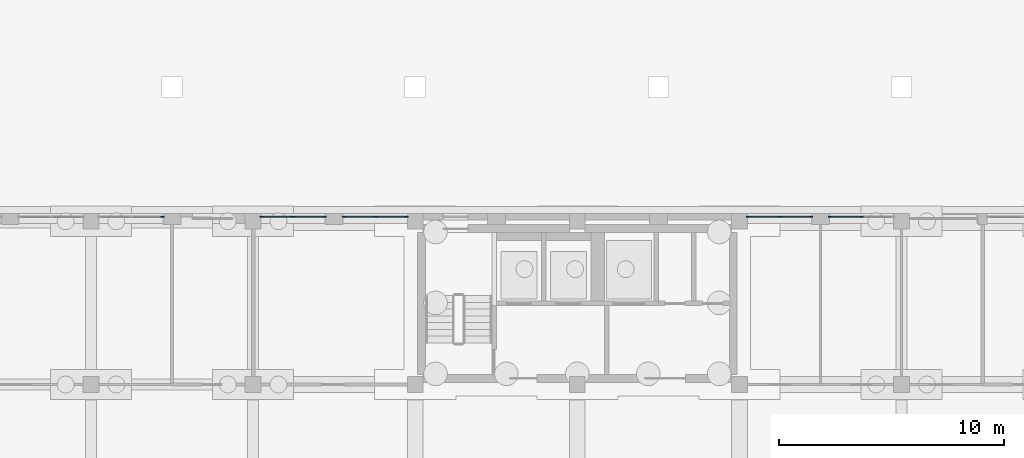
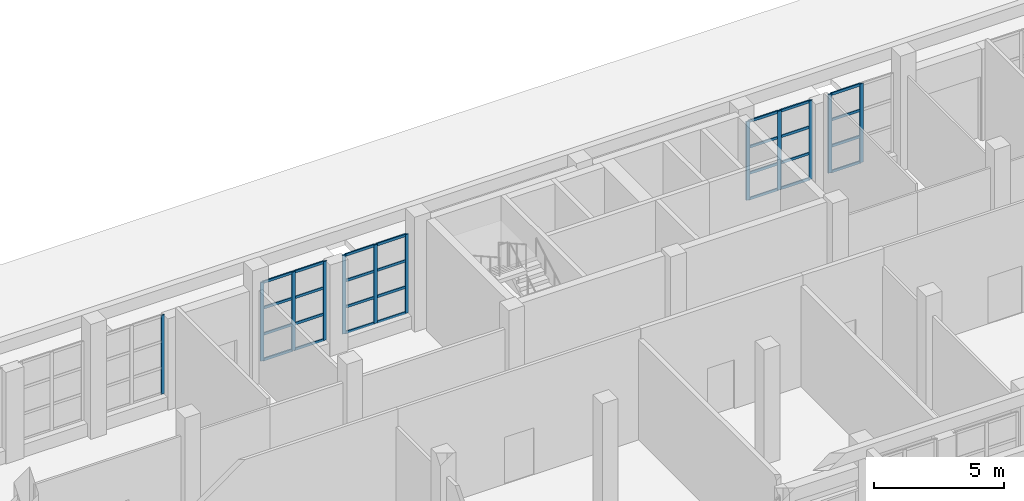
# One storey, part 26 of 80: 40 members, 5 elements without a shape of their own.
"""IFC4 building model written with IfcOpenShell, lengths in metres."""

import ifcopenshell
import ifcopenshell.guid

model = None  # the IFC model being written
_history = None  # IfcOwnerHistory: only IFC2X3 demands one
_inside = {}  # id of a spatial element -> (the spatial element, [elements in it])
_under = {}  # id of a project, library or spatial element -> (it, [spatial elements below it])
_declared = {}  # id of a project -> (the project, [libraries it declares])
_typed = {}  # id of a type object -> (the type object, [elements of that type])
_made_of = {}  # id of a material, layer set ... -> (it, [elements and type objects made of it])


def new_model(schema):
    """Start an empty IFC model of exactly this schema.

    Asked for "IFC4X3", IfcOpenShell would pick the latest addendum, in which some entities
    have other attributes; the version numbers below select the first issue.
    IFC2X3 requires an IfcOwnerHistory on every rooted entity: one is made here for all.
    """
    global model, _history
    if schema == "IFC4X3":
        model = ifcopenshell.file(schema_version=(4, 3, 0, 0))
    else:
        model = ifcopenshell.file(schema=schema)
    _inside.clear()
    _under.clear()
    _declared.clear()
    _typed.clear()
    _made_of.clear()
    _history = None
    if model.schema == "IFC2X3":
        org = make("IfcOrganization", Name="unknown")
        user = make(
            "IfcPersonAndOrganization",
            ThePerson=make("IfcPerson", FamilyName="unknown"),
            TheOrganization=org,
        )
        app = make(
            "IfcApplication",
            ApplicationDeveloper=org,
            Version="unknown",
            ApplicationFullName="unknown",
            ApplicationIdentifier="unknown",
        )
        _history = make(
            "IfcOwnerHistory",
            OwningUser=user,
            OwningApplication=app,
            ChangeAction="ADDED",
            CreationDate=0,
        )
    return model


def make(cls, **values):
    """One entity of the class cls with the attributes given. An attribute that is None is left unset."""
    return model.create_entity(
        cls, **{name: value for name, value in values.items() if value is not None}
    )


def rooted(cls, **values):
    """An entity with a GlobalId (a new one), such as an element, a storey or a relation."""
    return make(cls, GlobalId=ifcopenshell.guid.new(), OwnerHistory=_history, **values)


def si_unit(unit_type, name, prefix=None):
    """IfcSIUnit, for example si_unit("LENGTHUNIT", "METRE", prefix="MILLI")."""
    return make("IfcSIUnit", UnitType=unit_type, Prefix=prefix, Name=name)


def assignment(units):
    """IfcUnitAssignment: the units of a project."""
    return None if units is None else make("IfcUnitAssignment", Units=units)


def point(xyz):
    """IfcCartesianPoint."""
    return None if xyz is None else make("IfcCartesianPoint", Coordinates=xyz)


def direction(xyz):
    """IfcDirection."""
    return None if xyz is None else make("IfcDirection", DirectionRatios=xyz)


def frame(location, z_axis=None, x_axis=None):
    """IfcAxis2Placement3D, a coordinate frame: its origin and axes. An axis left out is left unset."""
    return make(
        "IfcAxis2Placement3D",
        Location=point(location),
        Axis=direction(z_axis),
        RefDirection=direction(x_axis),
    )


def frame_2d(location, x_axis=None):
    """IfcAxis2Placement2D, a coordinate frame in the plane: its origin and x axis."""
    return make(
        "IfcAxis2Placement2D", Location=point(location), RefDirection=direction(x_axis)
    )


def origin():
    """The frame at (0, 0, 0) with its axes left unset."""
    return frame((0.0, 0.0, 0.0))


def origin_2d():
    """The frame at (0, 0) in the plane with its x axis left unset."""
    return frame_2d((0.0, 0.0))


def place(relative_to, where):
    """IfcLocalPlacement: puts the frame where relative to a parent placement (None: the world)."""
    return make(
        "IfcLocalPlacement", PlacementRelTo=relative_to, RelativePlacement=where
    )


def context(
    kind, dimensions, precision=None, world=None, true_north=None, identifier=None
):
    """IfcGeometricRepresentationContext, for example the 3D "Model" context."""
    return make(
        "IfcGeometricRepresentationContext",
        ContextIdentifier=identifier,
        ContextType=kind,
        CoordinateSpaceDimension=dimensions,
        Precision=precision,
        WorldCoordinateSystem=world,
        TrueNorth=true_north,
    )


def subcontext(parent, identifier, kind, view, scale=None):
    """IfcGeometricRepresentationSubContext, for example "Body" below "Model"."""
    return make(
        "IfcGeometricRepresentationSubContext",
        ContextIdentifier=identifier,
        ContextType=kind,
        ParentContext=parent,
        TargetScale=scale,
        TargetView=view,
    )


def project(units=None, contexts=None):
    """IfcProject with its units and contexts."""
    return rooted(
        "IfcProject",
        Name="project",
        RepresentationContexts=contexts,
        UnitsInContext=assignment(units),
    )


def spatial(cls, under=None, at=None, **own):
    """A site, building, storey or space (cls), placed at a placement, below another one or the project."""
    s = rooted(cls, ObjectPlacement=at, **own)
    if under is not None:
        _under.setdefault(under.id(), (under, []))[1].append(s)
    return s


def profile(cls, at=None, kind="AREA", **sizes):
    """A parametric profile (cls). Its sizes go by their IFC names, for example OverallWidth=200.0."""
    return make(cls, ProfileType=kind, Position=at, **sizes)


def rectangle(**sizes):
    """IfcRectangleProfileDef."""
    return profile("IfcRectangleProfileDef", **sizes)


def extrude(swept, where, along, depth):
    """IfcExtrudedAreaSolid: the profile swept, set in the frame where, extruded along a direction by depth."""
    return make(
        "IfcExtrudedAreaSolid",
        SweptArea=swept,
        Position=where,
        ExtrudedDirection=direction(along),
        Depth=depth,
    )


def shape(context_of_items, identifier, shape_type, items):
    """IfcShapeRepresentation: the items that make up one representation, for example the "Body"."""
    return make(
        "IfcShapeRepresentation",
        ContextOfItems=context_of_items,
        RepresentationIdentifier=identifier,
        RepresentationType=shape_type,
        Items=items,
    )


def material(Name=None, Category=None):
    """IfcMaterial."""
    return make("IfcMaterial", Name=Name, Category=Category)


def layer(
    of_material, thickness, ventilated=None, Name=None, Category=None, Priority=None
):
    """IfcMaterialLayer: one layer of a wall or slab, of a material (None: an air gap)."""
    return make(
        "IfcMaterialLayer",
        Material=of_material,
        LayerThickness=thickness,
        IsVentilated=ventilated,
        Name=Name,
        Category=Category,
        Priority=Priority,
    )


def layer_set(layers, Name=None):
    """IfcMaterialLayerSet."""
    return make("IfcMaterialLayerSet", MaterialLayers=layers, LayerSetName=Name)


def material_profile(
    of_material, cross_section, Name=None, Category=None, Priority=None
):
    """IfcMaterialProfile: a cross section and its material."""
    return make(
        "IfcMaterialProfile",
        Name=Name,
        Material=of_material,
        Profile=cross_section,
        Priority=Priority,
        Category=Category,
    )


def profile_set(profiles, Name=None, composite=None):
    """IfcMaterialProfileSet."""
    return make(
        "IfcMaterialProfileSet",
        Name=Name,
        MaterialProfiles=profiles,
        CompositeProfile=composite,
    )


def made_of(thing, what):
    """Note that an element or type object is made of a material, layer set ...; save() writes the relation."""
    if what is not None:
        _made_of.setdefault(what.id(), (what, []))[1].append(thing)
    return thing


def type_object(cls, material=None, **own):
    """A type object (cls), such as IfcWallType, which elements share."""
    return made_of(rooted(cls, **own), material)


def element(
    cls,
    number,
    at=None,
    inside=None,
    cuts=None,
    type_object=None,
    material=None,
    context=None,
    identifier="Body",
    shape_type=None,
    held_by="IfcProductDefinitionShape",
    body=None,
    shapes=None,
    **own,
):
    """One element of the class cls, such as IfcWall. Its Tag is "e" and its number.

    at: its placement. inside: the storey or other place that contains it. cuts: it is an
    opening in that element (IfcRelVoidsElement). A single representation is given by context,
    identifier, shape_type and body (its items); several are given by shapes. held_by: the class
    of the entity that holds the representations. save() writes the other relations.
    """
    e = rooted(cls, Tag="e%d" % number, ObjectPlacement=at, **own)
    if body is not None:
        shapes = [shape(context, identifier, shape_type, body)]
    if shapes is not None:
        e.Representation = make(held_by, Representations=shapes)
    if inside is not None:
        _inside.setdefault(inside.id(), (inside, []))[1].append(e)
    if cuts is not None:
        rooted(
            "IfcRelVoidsElement", RelatingBuildingElement=cuts, RelatedOpeningElement=e
        )
    if type_object is not None:
        _typed.setdefault(type_object.id(), (type_object, []))[1].append(e)
    return made_of(e, material)


def aggregate(whole, parts):
    """IfcRelAggregates: a whole, such as a stair, and the parts it consists of."""
    return rooted("IfcRelAggregates", RelatingObject=whole, RelatedObjects=parts)


def save(model, path):
    """Write the relations noted so far, then the file.

    IfcRelAggregates (storeys below a building ...), IfcRelContainedInSpatialStructure (elements
    in a storey), IfcRelDefinesByType, IfcRelAssociatesMaterial and IfcRelDeclares: one each for
    every whole, place, type object, material and project.
    """
    for whole, parts in _under.values():
        aggregate(whole, parts)
    for where, things in _inside.values():
        rooted(
            "IfcRelContainedInSpatialStructure",
            RelatedElements=things,
            RelatingStructure=where,
        )
    for kind, things in _typed.values():
        rooted("IfcRelDefinesByType", RelatedObjects=things, RelatingType=kind)
    for what, things in _made_of.values():
        rooted("IfcRelAssociatesMaterial", RelatedObjects=things, RelatingMaterial=what)
    for by, libraries in _declared.values():
        rooted("IfcRelDeclares", RelatingContext=by, RelatedDefinitions=libraries)
    model.write(path)


model = new_model("IFC4")

# Units and contexts
model_context = context("Model", 3, precision=1e-05, world=origin(), true_north=direction((0.0, 1.0)))
body_context = subcontext(model_context, "Body", "Model", "MODEL_VIEW")
ifc_project = project(units=[si_unit("LENGTHUNIT", "METRE"), si_unit("AREAUNIT", "SQUARE_METRE"), si_unit("VOLUMEUNIT", "CUBIC_METRE"), si_unit("PLANEANGLEUNIT", "RADIAN"), si_unit("MASSUNIT", "GRAM", prefix="KILO")], contexts=[model_context])

# Site, building, storey
site_placement = place(None, origin())
site = spatial("IfcSite", under=ifc_project, at=site_placement, CompositionType="ELEMENT")
building_placement = place(site_placement, origin())
building = spatial("IfcBuilding", under=site, at=building_placement, Name="Ussher Court Research Institute", CompositionType="ELEMENT")
storey_placement = place(building_placement, origin())
storey = spatial("IfcBuildingStorey", under=building, at=storey_placement, Name="L00", CompositionType="ELEMENT", Elevation=0.0)

# Curtain wall, member
ifc_material_1 = material(Name="Bronze anodised aluminium with laminated safety glass", Category="aluminium")
ifc_layer = layer(ifc_material_1, 0.1201171875)
ifc_layer_set = layer_set([ifc_layer], Name="Bronze anodised aluminium with laminated safety glass")
curtain_wall_type = type_object("IfcCurtainWallType", Name="Curtain wall dry laboratory base storefront", PredefinedType="NOTDEFINED", material=ifc_layer_set)
curtain_wall_1_placement = place(storey_placement, origin())
curtain_wall_1 = element("IfcCurtainWall", 1, at=curtain_wall_1_placement, inside=storey, type_object=curtain_wall_type, Name="Curtain wall CW4 L00", PredefinedType="NOTDEFINED")
ifc_material_2 = material(Name="Bronze anodised aluminium", Category="aluminium")
ifc_material_profile_1 = material_profile(ifc_material_2, rectangle(XDim=0.06005859375, YDim=0.159912109375, at=origin_2d()), Name="Mullion 60x160")
ifc_profile_set_1 = profile_set([ifc_material_profile_1], Name="Bronze anodised aluminium")
member_type_1 = type_object("IfcMemberType", Name="Mullion 60x160", PredefinedType="MULLION", material=ifc_profile_set_1)
member_1_placement = place(storey_placement, frame((34.969970703125, 90.64990234375, 0.60009765625), z_axis=(0.0, 0.0, 1.0), x_axis=(0.0, 1.0, 0.0)))
member_1 = element("IfcMember", 2, at=member_1_placement, type_object=member_type_1, Name="CW4 mullion 3", PredefinedType="MULLION", context=body_context, shape_type="SweptSolid", body=[
    extrude(rectangle(XDim=0.06005859375, YDim=0.159912109375, at=origin_2d()), origin(), (0.0, 0.0, 1.0), 3.699951171875),
])
aggregate(curtain_wall_1, [member_1])

# Curtain wall, members
curtain_wall_2_placement = place(storey_placement, origin())
curtain_wall_2 = element("IfcCurtainWall", 3, at=curtain_wall_2_placement, inside=storey, type_object=curtain_wall_type, Name="Curtain wall CW4 L00", PredefinedType="NOTDEFINED")
member_2_placement = place(storey_placement, frame((39.3798828125, 90.64990234375, 0.60009765625), z_axis=(0.0, 0.0, 1.0), x_axis=(0.0, 1.0, 0.0)))
member_2 = element("IfcMember", 4, at=member_2_placement, type_object=member_type_1, Name="CW4 mullion 1", PredefinedType="MULLION", context=body_context, shape_type="SweptSolid", body=[
    extrude(rectangle(XDim=0.06005859375, YDim=0.159912109375, at=origin_2d()), origin(), (0.0, 0.0, 1.0), 3.699951171875),
])
member_3_placement = place(storey_placement, frame((40.77490234375, 90.64990234375, 0.60009765625), z_axis=(0.0, 0.0, 1.0), x_axis=(0.0, 1.0, 0.0)))
member_3 = element("IfcMember", 5, at=member_3_placement, type_object=member_type_1, Name="CW4 mullion 2", PredefinedType="MULLION", context=body_context, shape_type="SweptSolid", body=[
    extrude(rectangle(XDim=0.06005859375, YDim=0.159912109375, at=origin_2d()), origin(), (0.0, 0.0, 1.0), 3.699951171875),
])
member_4_placement = place(storey_placement, frame((42.169921875, 90.64990234375, 0.60009765625), z_axis=(0.0, 0.0, 1.0), x_axis=(0.0, 1.0, 0.0)))
member_4 = element("IfcMember", 6, at=member_4_placement, type_object=member_type_1, Name="CW4 mullion 3", PredefinedType="MULLION", context=body_context, shape_type="SweptSolid", body=[
    extrude(rectangle(XDim=0.06005859375, YDim=0.159912109375, at=origin_2d()), origin(), (0.0, 0.0, 1.0), 3.699951171875),
])

curtain_wall_3_placement = place(storey_placement, origin())
curtain_wall_3 = element("IfcCurtainWall", 7, at=curtain_wall_3_placement, inside=storey, type_object=curtain_wall_type, Name="Curtain wall CW4 L00", PredefinedType="NOTDEFINED")
member_5_placement = place(storey_placement, frame((43.030029296875, 90.64990234375, 0.60009765625), z_axis=(0.0, 0.0, 1.0), x_axis=(0.0, 1.0, 0.0)))
member_5 = element("IfcMember", 8, at=member_5_placement, type_object=member_type_1, Name="CW4 mullion 1", PredefinedType="MULLION", context=body_context, shape_type="SweptSolid", body=[
    extrude(rectangle(XDim=0.06005859375, YDim=0.159912109375, at=origin_2d()), origin(), (0.0, 0.0, 1.0), 3.699951171875),
])
member_6_placement = place(storey_placement, frame((44.425048828125, 90.64990234375, 0.60009765625), z_axis=(0.0, 0.0, 1.0), x_axis=(0.0, 1.0, 0.0)))
member_6 = element("IfcMember", 9, at=member_6_placement, type_object=member_type_1, Name="CW4 mullion 2", PredefinedType="MULLION", context=body_context, shape_type="SweptSolid", body=[
    extrude(rectangle(XDim=0.06005859375, YDim=0.159912109375, at=origin_2d()), origin(), (0.0, 0.0, 1.0), 3.699951171875),
])
member_7_placement = place(storey_placement, frame((45.820068359375, 90.64990234375, 0.60009765625), z_axis=(0.0, 0.0, 1.0), x_axis=(0.0, 1.0, 0.0)))
member_7 = element("IfcMember", 10, at=member_7_placement, type_object=member_type_1, Name="CW4 mullion 3", PredefinedType="MULLION", context=body_context, shape_type="SweptSolid", body=[
    extrude(rectangle(XDim=0.06005859375, YDim=0.159912109375, at=origin_2d()), origin(), (0.0, 0.0, 1.0), 3.699951171875),
])

curtain_wall_4_placement = place(storey_placement, origin())
curtain_wall_4 = element("IfcCurtainWall", 11, at=curtain_wall_4_placement, inside=storey, type_object=curtain_wall_type, Name="Curtain wall CW4 L00", PredefinedType="NOTDEFINED")
member_8_placement = place(storey_placement, frame((60.97998046875, 90.64990234375, 0.60009765625), z_axis=(0.0, 0.0, 1.0), x_axis=(0.0, 1.0, 0.0)))
member_8 = element("IfcMember", 12, at=member_8_placement, type_object=member_type_1, Name="CW4 mullion 1", PredefinedType="MULLION", context=body_context, shape_type="SweptSolid", body=[
    extrude(rectangle(XDim=0.06005859375, YDim=0.159912109375, at=origin_2d()), origin(), (0.0, 0.0, 1.0), 3.699951171875),
])
member_9_placement = place(storey_placement, frame((62.375, 90.64990234375, 0.60009765625), z_axis=(0.0, 0.0, 1.0), x_axis=(0.0, 1.0, 0.0)))
member_9 = element("IfcMember", 13, at=member_9_placement, type_object=member_type_1, Name="CW4 mullion 2", PredefinedType="MULLION", context=body_context, shape_type="SweptSolid", body=[
    extrude(rectangle(XDim=0.06005859375, YDim=0.159912109375, at=origin_2d()), origin(), (0.0, 0.0, 1.0), 3.699951171875),
])
member_10_placement = place(storey_placement, frame((63.77001953125, 90.64990234375, 0.60009765625), z_axis=(0.0, 0.0, 1.0), x_axis=(0.0, 1.0, 0.0)))
member_10 = element("IfcMember", 14, at=member_10_placement, type_object=member_type_1, Name="CW4 mullion 3", PredefinedType="MULLION", context=body_context, shape_type="SweptSolid", body=[
    extrude(rectangle(XDim=0.06005859375, YDim=0.159912109375, at=origin_2d()), origin(), (0.0, 0.0, 1.0), 3.699951171875),
])

curtain_wall_5_placement = place(storey_placement, origin())
curtain_wall_5 = element("IfcCurtainWall", 15, at=curtain_wall_5_placement, inside=storey, type_object=curtain_wall_type, Name="Curtain wall CW4 L00", PredefinedType="NOTDEFINED")
member_11_placement = place(storey_placement, frame((64.6298828125, 90.64990234375, 0.60009765625), z_axis=(0.0, 0.0, 1.0), x_axis=(0.0, 1.0, 0.0)))
member_11 = element("IfcMember", 16, at=member_11_placement, type_object=member_type_1, Name="CW4 mullion 1", PredefinedType="MULLION", context=body_context, shape_type="SweptSolid", body=[
    extrude(rectangle(XDim=0.06005859375, YDim=0.159912109375, at=origin_2d()), origin(), (0.0, 0.0, 1.0), 3.699951171875),
])
member_12_placement = place(storey_placement, frame((66.02490234375, 90.64990234375, 0.60009765625), z_axis=(0.0, 0.0, 1.0), x_axis=(0.0, 1.0, 0.0)))
member_12 = element("IfcMember", 17, at=member_12_placement, type_object=member_type_1, Name="CW4 mullion 2", PredefinedType="MULLION", context=body_context, shape_type="SweptSolid", body=[
    extrude(rectangle(XDim=0.06005859375, YDim=0.159912109375, at=origin_2d()), origin(), (0.0, 0.0, 1.0), 3.699951171875),
])

# Member
ifc_material_3 = material(Name="Bronze anodised aluminium", Category="aluminium")
ifc_material_profile_2 = material_profile(ifc_material_3, rectangle(XDim=0.06005859375, YDim=0.1201171875, at=origin_2d()), Name="Transom 60x120")
ifc_profile_set_2 = profile_set([ifc_material_profile_2], Name="Bronze anodised aluminium")
member_type_2 = type_object("IfcMemberType", Name="Transom 60x120", PredefinedType="USERDEFINED", material=ifc_profile_set_2)
member_13_placement = place(storey_placement, frame((39.409912109375, 90.64990234375, 0.6298828125), z_axis=(1.0, 0.0, 0.0), x_axis=(0.0, 1.0, 0.0)))
member_13 = element("IfcMember", 18, at=member_13_placement, type_object=member_type_2, Name="CW4 transom 1.1", ObjectType="TRANSOM", PredefinedType="USERDEFINED", context=body_context, shape_type="SweptSolid", body=[
    extrude(rectangle(XDim=0.06005859375, YDim=0.1201171875, at=origin_2d()), origin(), (0.0, 0.0, 1.0), 1.335205078125),
])

member_14_placement = place(storey_placement, frame((39.409912109375, 90.64990234375, 1.833251953125), z_axis=(1.0, 0.0, 0.0), x_axis=(0.0, 1.0, 0.0)))
member_14 = element("IfcMember", 19, at=member_14_placement, type_object=member_type_2, Name="CW4 transom 1.2", ObjectType="TRANSOM", PredefinedType="USERDEFINED", context=body_context, shape_type="SweptSolid", body=[
    extrude(rectangle(XDim=0.06005859375, YDim=0.1201171875, at=origin_2d()), origin(), (0.0, 0.0, 1.0), 1.335205078125),
])

member_15_placement = place(storey_placement, frame((39.409912109375, 90.64990234375, 3.066650390625), z_axis=(1.0, 0.0, 0.0), x_axis=(0.0, 1.0, 0.0)))
member_15 = element("IfcMember", 20, at=member_15_placement, type_object=member_type_2, Name="CW4 transom 1.3", ObjectType="TRANSOM", PredefinedType="USERDEFINED", context=body_context, shape_type="SweptSolid", body=[
    extrude(rectangle(XDim=0.06005859375, YDim=0.1201171875, at=origin_2d()), origin(), (0.0, 0.0, 1.0), 1.335205078125),
])

member_16_placement = place(storey_placement, frame((39.409912109375, 90.64990234375, 4.27001953125), z_axis=(1.0, 0.0, 0.0), x_axis=(0.0, 1.0, 0.0)))
member_16 = element("IfcMember", 21, at=member_16_placement, type_object=member_type_2, Name="CW4 transom 1.4", ObjectType="TRANSOM", PredefinedType="USERDEFINED", context=body_context, shape_type="SweptSolid", body=[
    extrude(rectangle(XDim=0.06005859375, YDim=0.1201171875, at=origin_2d()), origin(), (0.0, 0.0, 1.0), 1.335205078125),
])

member_17_placement = place(storey_placement, frame((40.804931640625, 90.64990234375, 0.6298828125), z_axis=(1.0, 0.0, 0.0), x_axis=(0.0, 1.0, 0.0)))
member_17 = element("IfcMember", 22, at=member_17_placement, type_object=member_type_2, Name="CW4 transom 2.1", ObjectType="TRANSOM", PredefinedType="USERDEFINED", context=body_context, shape_type="SweptSolid", body=[
    extrude(rectangle(XDim=0.06005859375, YDim=0.1201171875, at=origin_2d()), origin(), (0.0, 0.0, 1.0), 1.3349609375),
])

member_18_placement = place(storey_placement, frame((40.804931640625, 90.64990234375, 1.833251953125), z_axis=(1.0, 0.0, 0.0), x_axis=(0.0, 1.0, 0.0)))
member_18 = element("IfcMember", 23, at=member_18_placement, type_object=member_type_2, Name="CW4 transom 2.2", ObjectType="TRANSOM", PredefinedType="USERDEFINED", context=body_context, shape_type="SweptSolid", body=[
    extrude(rectangle(XDim=0.06005859375, YDim=0.1201171875, at=origin_2d()), origin(), (0.0, 0.0, 1.0), 1.3349609375),
])

member_19_placement = place(storey_placement, frame((40.804931640625, 90.64990234375, 3.066650390625), z_axis=(1.0, 0.0, 0.0), x_axis=(0.0, 1.0, 0.0)))
member_19 = element("IfcMember", 24, at=member_19_placement, type_object=member_type_2, Name="CW4 transom 2.3", ObjectType="TRANSOM", PredefinedType="USERDEFINED", context=body_context, shape_type="SweptSolid", body=[
    extrude(rectangle(XDim=0.06005859375, YDim=0.1201171875, at=origin_2d()), origin(), (0.0, 0.0, 1.0), 1.3349609375),
])

member_20_placement = place(storey_placement, frame((40.804931640625, 90.64990234375, 4.27001953125), z_axis=(1.0, 0.0, 0.0), x_axis=(0.0, 1.0, 0.0)))
member_20 = element("IfcMember", 25, at=member_20_placement, type_object=member_type_2, Name="CW4 transom 2.4", ObjectType="TRANSOM", PredefinedType="USERDEFINED", context=body_context, shape_type="SweptSolid", body=[
    extrude(rectangle(XDim=0.06005859375, YDim=0.1201171875, at=origin_2d()), origin(), (0.0, 0.0, 1.0), 1.3349609375),
])

aggregate(curtain_wall_2, [member_2, member_3, member_4, member_13, member_14, member_15, member_16, member_17, member_18, member_19, member_20])

member_21_placement = place(storey_placement, frame((43.06005859375, 90.64990234375, 0.6298828125), z_axis=(1.0, 0.0, 0.0), x_axis=(0.0, 1.0, 0.0)))
member_21 = element("IfcMember", 26, at=member_21_placement, type_object=member_type_2, Name="CW4 transom 1.1", ObjectType="TRANSOM", PredefinedType="USERDEFINED", context=body_context, shape_type="SweptSolid", body=[
    extrude(rectangle(XDim=0.06005859375, YDim=0.1201171875, at=origin_2d()), origin(), (0.0, 0.0, 1.0), 1.3349609375),
])

member_22_placement = place(storey_placement, frame((43.06005859375, 90.64990234375, 1.833251953125), z_axis=(1.0, 0.0, 0.0), x_axis=(0.0, 1.0, 0.0)))
member_22 = element("IfcMember", 27, at=member_22_placement, type_object=member_type_2, Name="CW4 transom 1.2", ObjectType="TRANSOM", PredefinedType="USERDEFINED", context=body_context, shape_type="SweptSolid", body=[
    extrude(rectangle(XDim=0.06005859375, YDim=0.1201171875, at=origin_2d()), origin(), (0.0, 0.0, 1.0), 1.3349609375),
])

member_23_placement = place(storey_placement, frame((43.06005859375, 90.64990234375, 3.066650390625), z_axis=(1.0, 0.0, 0.0), x_axis=(0.0, 1.0, 0.0)))
member_23 = element("IfcMember", 28, at=member_23_placement, type_object=member_type_2, Name="CW4 transom 1.3", ObjectType="TRANSOM", PredefinedType="USERDEFINED", context=body_context, shape_type="SweptSolid", body=[
    extrude(rectangle(XDim=0.06005859375, YDim=0.1201171875, at=origin_2d()), origin(), (0.0, 0.0, 1.0), 1.3349609375),
])

member_24_placement = place(storey_placement, frame((43.06005859375, 90.64990234375, 4.27001953125), z_axis=(1.0, 0.0, 0.0), x_axis=(0.0, 1.0, 0.0)))
member_24 = element("IfcMember", 29, at=member_24_placement, type_object=member_type_2, Name="CW4 transom 1.4", ObjectType="TRANSOM", PredefinedType="USERDEFINED", context=body_context, shape_type="SweptSolid", body=[
    extrude(rectangle(XDim=0.06005859375, YDim=0.1201171875, at=origin_2d()), origin(), (0.0, 0.0, 1.0), 1.3349609375),
])

member_25_placement = place(storey_placement, frame((44.455078125, 90.64990234375, 0.6298828125), z_axis=(1.0, 0.0, 0.0), x_axis=(0.0, 1.0, 0.0)))
member_25 = element("IfcMember", 30, at=member_25_placement, type_object=member_type_2, Name="CW4 transom 2.1", ObjectType="TRANSOM", PredefinedType="USERDEFINED", context=body_context, shape_type="SweptSolid", body=[
    extrude(rectangle(XDim=0.06005859375, YDim=0.1201171875, at=origin_2d()), origin(), (0.0, 0.0, 1.0), 1.3349609375),
])

member_26_placement = place(storey_placement, frame((44.455078125, 90.64990234375, 1.833251953125), z_axis=(1.0, 0.0, 0.0), x_axis=(0.0, 1.0, 0.0)))
member_26 = element("IfcMember", 31, at=member_26_placement, type_object=member_type_2, Name="CW4 transom 2.2", ObjectType="TRANSOM", PredefinedType="USERDEFINED", context=body_context, shape_type="SweptSolid", body=[
    extrude(rectangle(XDim=0.06005859375, YDim=0.1201171875, at=origin_2d()), origin(), (0.0, 0.0, 1.0), 1.3349609375),
])

member_27_placement = place(storey_placement, frame((44.455078125, 90.64990234375, 3.066650390625), z_axis=(1.0, 0.0, 0.0), x_axis=(0.0, 1.0, 0.0)))
member_27 = element("IfcMember", 32, at=member_27_placement, type_object=member_type_2, Name="CW4 transom 2.3", ObjectType="TRANSOM", PredefinedType="USERDEFINED", context=body_context, shape_type="SweptSolid", body=[
    extrude(rectangle(XDim=0.06005859375, YDim=0.1201171875, at=origin_2d()), origin(), (0.0, 0.0, 1.0), 1.3349609375),
])

member_28_placement = place(storey_placement, frame((44.455078125, 90.64990234375, 4.27001953125), z_axis=(1.0, 0.0, 0.0), x_axis=(0.0, 1.0, 0.0)))
member_28 = element("IfcMember", 33, at=member_28_placement, type_object=member_type_2, Name="CW4 transom 2.4", ObjectType="TRANSOM", PredefinedType="USERDEFINED", context=body_context, shape_type="SweptSolid", body=[
    extrude(rectangle(XDim=0.06005859375, YDim=0.1201171875, at=origin_2d()), origin(), (0.0, 0.0, 1.0), 1.3349609375),
])

aggregate(curtain_wall_3, [member_5, member_6, member_7, member_21, member_22, member_23, member_24, member_25, member_26, member_27, member_28])

member_29_placement = place(storey_placement, frame((61.010009765625, 90.64990234375, 0.6298828125), z_axis=(1.0, 0.0, 0.0), x_axis=(0.0, 1.0, 0.0)))
member_29 = element("IfcMember", 34, at=member_29_placement, type_object=member_type_2, Name="CW4 transom 1.1", ObjectType="TRANSOM", PredefinedType="USERDEFINED", context=body_context, shape_type="SweptSolid", body=[
    extrude(rectangle(XDim=0.06005859375, YDim=0.1201171875, at=origin_2d()), origin(), (0.0, 0.0, 1.0), 1.3349609375),
])

member_30_placement = place(storey_placement, frame((61.010009765625, 90.64990234375, 1.833251953125), z_axis=(1.0, 0.0, 0.0), x_axis=(0.0, 1.0, 0.0)))
member_30 = element("IfcMember", 35, at=member_30_placement, type_object=member_type_2, Name="CW4 transom 1.2", ObjectType="TRANSOM", PredefinedType="USERDEFINED", context=body_context, shape_type="SweptSolid", body=[
    extrude(rectangle(XDim=0.06005859375, YDim=0.1201171875, at=origin_2d()), origin(), (0.0, 0.0, 1.0), 1.3349609375),
])

member_31_placement = place(storey_placement, frame((61.010009765625, 90.64990234375, 3.066650390625), z_axis=(1.0, 0.0, 0.0), x_axis=(0.0, 1.0, 0.0)))
member_31 = element("IfcMember", 36, at=member_31_placement, type_object=member_type_2, Name="CW4 transom 1.3", ObjectType="TRANSOM", PredefinedType="USERDEFINED", context=body_context, shape_type="SweptSolid", body=[
    extrude(rectangle(XDim=0.06005859375, YDim=0.1201171875, at=origin_2d()), origin(), (0.0, 0.0, 1.0), 1.3349609375),
])

member_32_placement = place(storey_placement, frame((61.010009765625, 90.64990234375, 4.27001953125), z_axis=(1.0, 0.0, 0.0), x_axis=(0.0, 1.0, 0.0)))
member_32 = element("IfcMember", 37, at=member_32_placement, type_object=member_type_2, Name="CW4 transom 1.4", ObjectType="TRANSOM", PredefinedType="USERDEFINED", context=body_context, shape_type="SweptSolid", body=[
    extrude(rectangle(XDim=0.06005859375, YDim=0.1201171875, at=origin_2d()), origin(), (0.0, 0.0, 1.0), 1.3349609375),
])

member_33_placement = place(storey_placement, frame((62.405029296875, 90.64990234375, 0.6298828125), z_axis=(1.0, 0.0, 0.0), x_axis=(0.0, 1.0, 0.0)))
member_33 = element("IfcMember", 38, at=member_33_placement, type_object=member_type_2, Name="CW4 transom 2.1", ObjectType="TRANSOM", PredefinedType="USERDEFINED", context=body_context, shape_type="SweptSolid", body=[
    extrude(rectangle(XDim=0.06005859375, YDim=0.1201171875, at=origin_2d()), origin(), (0.0, 0.0, 1.0), 1.3349609375),
])

member_34_placement = place(storey_placement, frame((62.405029296875, 90.64990234375, 1.833251953125), z_axis=(1.0, 0.0, 0.0), x_axis=(0.0, 1.0, 0.0)))
member_34 = element("IfcMember", 39, at=member_34_placement, type_object=member_type_2, Name="CW4 transom 2.2", ObjectType="TRANSOM", PredefinedType="USERDEFINED", context=body_context, shape_type="SweptSolid", body=[
    extrude(rectangle(XDim=0.06005859375, YDim=0.1201171875, at=origin_2d()), origin(), (0.0, 0.0, 1.0), 1.3349609375),
])

member_35_placement = place(storey_placement, frame((62.405029296875, 90.64990234375, 3.066650390625), z_axis=(1.0, 0.0, 0.0), x_axis=(0.0, 1.0, 0.0)))
member_35 = element("IfcMember", 40, at=member_35_placement, type_object=member_type_2, Name="CW4 transom 2.3", ObjectType="TRANSOM", PredefinedType="USERDEFINED", context=body_context, shape_type="SweptSolid", body=[
    extrude(rectangle(XDim=0.06005859375, YDim=0.1201171875, at=origin_2d()), origin(), (0.0, 0.0, 1.0), 1.3349609375),
])

member_36_placement = place(storey_placement, frame((62.405029296875, 90.64990234375, 4.27001953125), z_axis=(1.0, 0.0, 0.0), x_axis=(0.0, 1.0, 0.0)))
member_36 = element("IfcMember", 41, at=member_36_placement, type_object=member_type_2, Name="CW4 transom 2.4", ObjectType="TRANSOM", PredefinedType="USERDEFINED", context=body_context, shape_type="SweptSolid", body=[
    extrude(rectangle(XDim=0.06005859375, YDim=0.1201171875, at=origin_2d()), origin(), (0.0, 0.0, 1.0), 1.3349609375),
])

aggregate(curtain_wall_4, [member_8, member_9, member_10, member_29, member_30, member_31, member_32, member_33, member_34, member_35, member_36])

member_37_placement = place(storey_placement, frame((64.659912109375, 90.64990234375, 0.6298828125), z_axis=(1.0, 0.0, 0.0), x_axis=(0.0, 1.0, 0.0)))
member_37 = element("IfcMember", 42, at=member_37_placement, type_object=member_type_2, Name="CW4 transom 1.1", ObjectType="TRANSOM", PredefinedType="USERDEFINED", context=body_context, shape_type="SweptSolid", body=[
    extrude(rectangle(XDim=0.06005859375, YDim=0.1201171875, at=origin_2d()), origin(), (0.0, 0.0, 1.0), 1.335205078125),
])

member_38_placement = place(storey_placement, frame((64.659912109375, 90.64990234375, 1.833251953125), z_axis=(1.0, 0.0, 0.0), x_axis=(0.0, 1.0, 0.0)))
member_38 = element("IfcMember", 43, at=member_38_placement, type_object=member_type_2, Name="CW4 transom 1.2", ObjectType="TRANSOM", PredefinedType="USERDEFINED", context=body_context, shape_type="SweptSolid", body=[
    extrude(rectangle(XDim=0.06005859375, YDim=0.1201171875, at=origin_2d()), origin(), (0.0, 0.0, 1.0), 1.335205078125),
])

member_39_placement = place(storey_placement, frame((64.659912109375, 90.64990234375, 3.066650390625), z_axis=(1.0, 0.0, 0.0), x_axis=(0.0, 1.0, 0.0)))
member_39 = element("IfcMember", 44, at=member_39_placement, type_object=member_type_2, Name="CW4 transom 1.3", ObjectType="TRANSOM", PredefinedType="USERDEFINED", context=body_context, shape_type="SweptSolid", body=[
    extrude(rectangle(XDim=0.06005859375, YDim=0.1201171875, at=origin_2d()), origin(), (0.0, 0.0, 1.0), 1.335205078125),
])

member_40_placement = place(storey_placement, frame((64.659912109375, 90.64990234375, 4.27001953125), z_axis=(1.0, 0.0, 0.0), x_axis=(0.0, 1.0, 0.0)))
member_40 = element("IfcMember", 45, at=member_40_placement, type_object=member_type_2, Name="CW4 transom 1.4", ObjectType="TRANSOM", PredefinedType="USERDEFINED", context=body_context, shape_type="SweptSolid", body=[
    extrude(rectangle(XDim=0.06005859375, YDim=0.1201171875, at=origin_2d()), origin(), (0.0, 0.0, 1.0), 1.335205078125),
])

aggregate(curtain_wall_5, [member_11, member_12, member_37, member_38, member_39, member_40])

save(model, "model.ifc")
